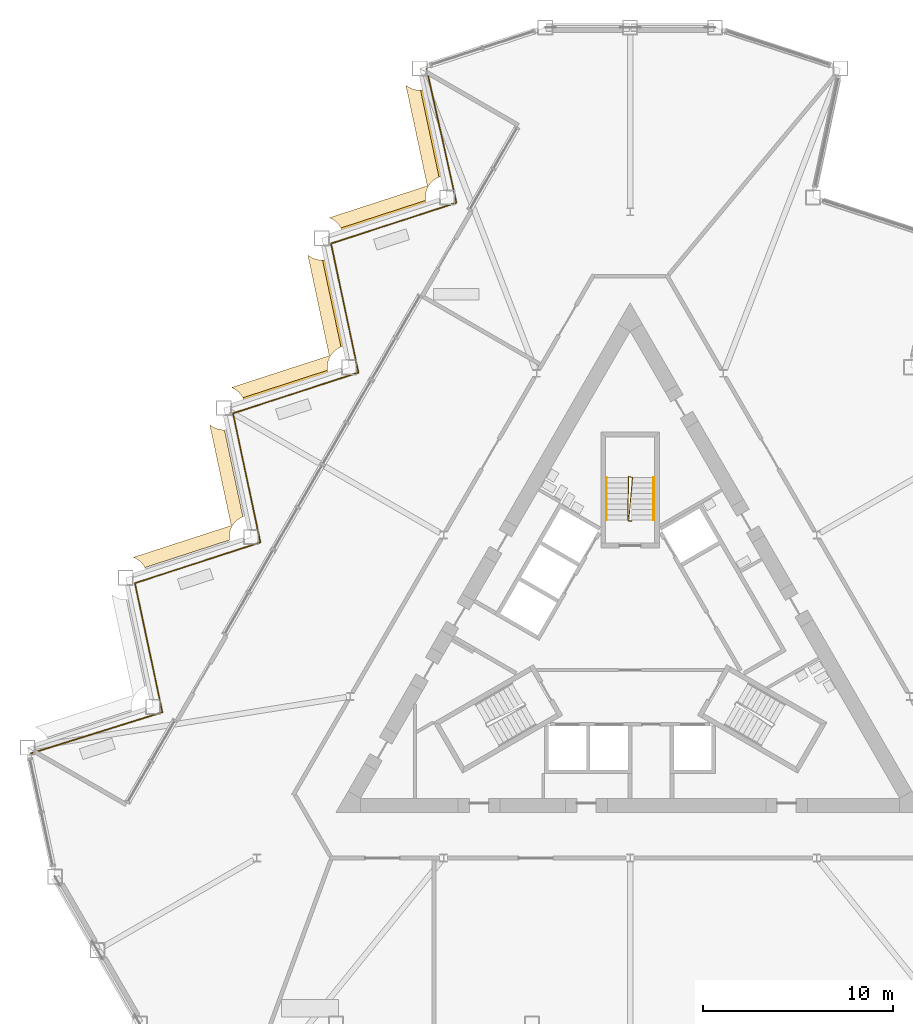
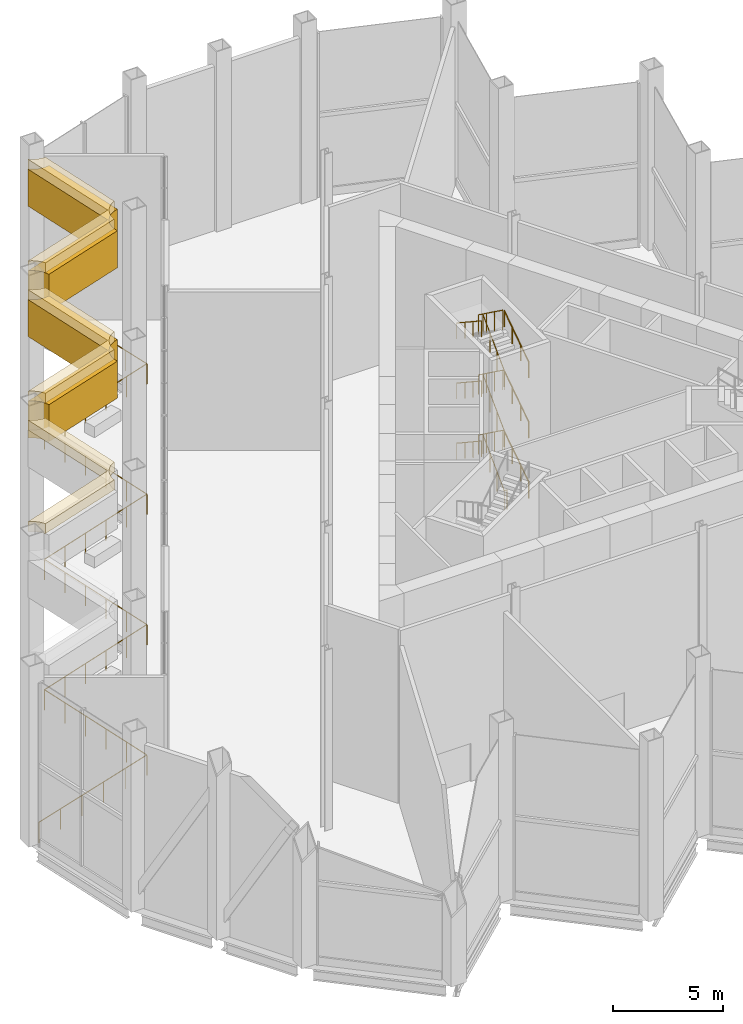
# One storey, part 16 of 18: 8 railings, 5 coverings.
"""IFC4 building model written with IfcOpenShell, lengths in metres."""

from ifc_helpers import new_model, si_unit, direction, frame, origin, origin_2d, place, context, subcontext, project, spatial, polyline, circle, outline, extrude, material, layer, layer_set, type_object, element, save


model = new_model("IFC4")

# Units and contexts
model_context = context("Model", 3, precision=1e-05, world=origin(), true_north=direction((0.0, 1.0)))
body_context = subcontext(model_context, "Body", "Model", "MODEL_VIEW")
ifc_project = project(units=[si_unit("LENGTHUNIT", "METRE"), si_unit("AREAUNIT", "SQUARE_METRE"), si_unit("VOLUMEUNIT", "CUBIC_METRE"), si_unit("PLANEANGLEUNIT", "RADIAN"), si_unit("MASSUNIT", "GRAM", prefix="KILO")], contexts=[model_context])

# Site, building, storey
site_placement = place(None, origin())
site = spatial("IfcSite", under=ifc_project, at=site_placement, CompositionType="ELEMENT")
building_placement = place(site_placement, origin())
building = spatial("IfcBuilding", under=site, at=building_placement, Name="Cormorant Prow Tower", CompositionType="ELEMENT")
storey_placement = place(building_placement, frame((0.0, 0.0, 216.0)))
storey = spatial("IfcBuildingStorey", under=building, at=storey_placement, Name="L48", CompositionType="ELEMENT", Elevation=216.0)

# Railings
ifc_material_1 = material(Name="Stainless steel", Category="steel")
railing_type_1 = type_object("IfcRailingType", Name="Stair guard 1100", PredefinedType="GUARDRAIL", material=ifc_material_1)
railing_1_placement = place(storey_placement, frame((0.074951171875, 6.40576171875, 0.0)))
element("IfcRailing", 1, at=railing_1_placement, inside=storey, type_object=railing_type_1, Name="L48 ST3 stair guard 1", PredefinedType="GUARDRAIL", context=body_context, shape_type="SweptSolid", body=[
    extrude(circle(Radius=0.02392578125, at=origin_2d()), frame((0.0, 0.0, 1.076171875), z_axis=(-1.0, 0.0, 0.0), x_axis=(0.0, -1.0, 0.0)), (0.0, 0.0, 1.0), 0.14990234375),
    extrude(circle(Radius=0.02392578125, at=origin_2d()), frame((-0.14990234375, 0.0, 1.076171875), z_axis=(0.070419712809, 0.806516368928, 0.587002905189), x_axis=(-0.996209839609, 0.086982500921, 0.0)), (0.0, 0.0, 1.0), 2.83935546875),
    extrude(circle(Radius=0.02392578125, at=origin_2d()), frame((0.050048828125, 2.2900390625, 2.74267578125), z_axis=(-0.970072785993, 0.242814311512, 0.0), x_axis=(-0.242814311512, -0.970072785993, 0.0)), (0.0, 0.0, 1.0), 0.2060546875),
    extrude(circle(Radius=0.02392578125, at=origin_2d()), frame((-0.14990234375, 2.340087890625, 2.74267578125), z_axis=(-0.017668429064, -0.808438363986, 0.58831559409), x_axis=(0.999761264773, -0.0218497931, 0.0)), (0.0, 0.0, 1.0), 2.832763671875),
    extrude(circle(Radius=0.02392578125, at=origin_2d()), frame((-0.199951171875, 0.050048828125, 4.4091796875), z_axis=(0.707106781187, -0.707106781187, 0.0), x_axis=(0.707106781187, 0.707106781187, 0.0)), (0.0, 0.0, 1.0), 0.07080078125),
    extrude(circle(Radius=0.02392578125, at=origin_2d()), frame((-0.14990234375, 0.0, 4.4091796875), z_axis=(0.070419712809, 0.806516368928, 0.587002905189), x_axis=(-0.996209839609, 0.086982500921, 0.0)), (0.0, 0.0, 1.0), 2.83935546875),
    extrude(circle(Radius=0.02392578125, at=origin_2d()), frame((0.050048828125, 2.2900390625, 6.076171875), z_axis=(-0.970072785993, 0.242814311512, 0.0), x_axis=(-0.242814311512, -0.970072785993, 0.0)), (0.0, 0.0, 1.0), 0.2060546875),
    extrude(circle(Radius=0.02392578125, at=origin_2d()), frame((-0.14990234375, 2.340087890625, 6.076171875), z_axis=(-0.017667533181, -0.80839737189, 0.58837194647), x_axis=(0.999761264773, -0.0218497931, 0.0)), (0.0, 0.0, 1.0), 2.832763671875),
    extrude(circle(Radius=0.02392578125, at=origin_2d()), frame((-0.199951171875, 0.050048828125, 7.74267578125), z_axis=(0.707106781187, -0.707106781187, 0.0), x_axis=(0.707106781187, 0.707106781187, 0.0)), (0.0, 0.0, 1.0), 0.07080078125),
    extrude(circle(Radius=0.02392578125, at=origin_2d()), frame((-0.14990234375, 0.0, 7.74267578125), z_axis=(0.070423267043, 0.80655707553, 0.586946545583), x_axis=(-0.996209839609, 0.086982500921, 0.0)), (0.0, 0.0, 1.0), 2.83935546875),
    extrude(circle(Radius=0.02392578125, at=origin_2d()), frame((0.050048828125, 2.2900390625, 9.4091796875), z_axis=(-0.970072785993, 0.242814311512, 0.0), x_axis=(-0.242814311512, -0.970072785993, 0.0)), (0.0, 0.0, 1.0), 0.2060546875),
    extrude(circle(Radius=0.02392578125, at=origin_2d()), frame((-0.14990234375, 2.340087890625, 9.4091796875), z_axis=(-0.017667533181, -0.80839737189, 0.58837194647), x_axis=(0.999761264773, -0.0218497931, 0.0)), (0.0, 0.0, 1.0), 2.832763671875),
    extrude(circle(Radius=0.02099609375, at=origin_2d()), origin(), (0.0, 0.0, 1.0), 1.052001953125),
    extrude(circle(Radius=0.02099609375, at=origin_2d()), frame((-0.14990234375, 0.0, 0.0)), (0.0, 0.0, 1.0), 1.052001953125),
    extrude(circle(Radius=0.02099609375, at=origin_2d()), frame((-0.083251953125, 0.763427734375, 0.5556640625)), (0.0, 0.0, 1.0), 1.052001953125),
    extrude(circle(Radius=0.02099609375, at=origin_2d()), frame((-0.0166015625, 1.526611328125, 1.111083984375)), (0.0, 0.0, 1.0), 1.052001953125),
    extrude(circle(Radius=0.02099609375, at=origin_2d()), frame((0.050048828125, 2.2900390625, 1.666748046875)), (0.0, 0.0, 1.0), 1.052001953125),
    extrude(circle(Radius=0.02099609375, at=origin_2d()), frame((-0.14990234375, 2.340087890625, 1.666748046875)), (0.0, 0.0, 1.0), 1.052001953125),
    extrude(circle(Radius=0.02099609375, at=origin_2d()), frame((-0.16650390625, 1.57666015625, 2.22216796875)), (0.0, 0.0, 1.0), 1.052001953125),
    extrude(circle(Radius=0.02099609375, at=origin_2d()), frame((-0.183349609375, 0.8134765625, 2.77783203125)), (0.0, 0.0, 1.0), 1.052001953125),
    extrude(circle(Radius=0.02099609375, at=origin_2d()), frame((-0.199951171875, 0.050048828125, 3.333251953125)), (0.0, 0.0, 1.0), 1.052001953125),
    extrude(circle(Radius=0.02099609375, at=origin_2d()), frame((-0.14990234375, 0.0, 3.333251953125)), (0.0, 0.0, 1.0), 1.052001953125),
    extrude(circle(Radius=0.02099609375, at=origin_2d()), frame((-0.083251953125, 0.763427734375, 3.888916015625)), (0.0, 0.0, 1.0), 1.052001953125),
    extrude(circle(Radius=0.02099609375, at=origin_2d()), frame((-0.0166015625, 1.526611328125, 4.4443359375)), (0.0, 0.0, 1.0), 1.052001953125),
    extrude(circle(Radius=0.02099609375, at=origin_2d()), frame((0.050048828125, 2.2900390625, 5.0)), (0.0, 0.0, 1.0), 1.052001953125),
    extrude(circle(Radius=0.02099609375, at=origin_2d()), frame((-0.14990234375, 2.340087890625, 5.0)), (0.0, 0.0, 1.0), 1.052001953125),
    extrude(circle(Radius=0.02099609375, at=origin_2d()), frame((-0.16650390625, 1.57666015625, 5.5556640625)), (0.0, 0.0, 1.0), 1.052001953125),
    extrude(circle(Radius=0.02099609375, at=origin_2d()), frame((-0.183349609375, 0.8134765625, 6.111083984375)), (0.0, 0.0, 1.0), 1.052001953125),
    extrude(circle(Radius=0.02099609375, at=origin_2d()), frame((-0.199951171875, 0.050048828125, 6.666748046875)), (0.0, 0.0, 1.0), 1.052001953125),
    extrude(circle(Radius=0.02099609375, at=origin_2d()), frame((-0.14990234375, 0.0, 6.666748046875)), (0.0, 0.0, 1.0), 1.052001953125),
    extrude(circle(Radius=0.02099609375, at=origin_2d()), frame((-0.083251953125, 0.763427734375, 7.22216796875)), (0.0, 0.0, 1.0), 1.052001953125),
    extrude(circle(Radius=0.02099609375, at=origin_2d()), frame((-0.0166015625, 1.526611328125, 7.77783203125)), (0.0, 0.0, 1.0), 1.052001953125),
    extrude(circle(Radius=0.02099609375, at=origin_2d()), frame((0.050048828125, 2.2900390625, 8.333251953125)), (0.0, 0.0, 1.0), 1.052001953125),
    extrude(circle(Radius=0.02099609375, at=origin_2d()), frame((-0.14990234375, 2.340087890625, 8.333251953125)), (0.0, 0.0, 1.0), 1.052001953125),
    extrude(circle(Radius=0.02099609375, at=origin_2d()), frame((-0.16650390625, 1.57666015625, 8.888916015625)), (0.0, 0.0, 1.0), 1.052001953125),
    extrude(circle(Radius=0.02099609375, at=origin_2d()), frame((-0.183349609375, 0.8134765625, 9.4443359375)), (0.0, 0.0, 1.0), 1.052001953125),
    extrude(circle(Radius=0.02099609375, at=origin_2d()), frame((-0.199951171875, 0.050048828125, 10.0)), (0.0, 0.0, 1.0), 1.052001953125),
])
ifc_material_2 = material(Name="Stainless steel", Category="steel")
railing_type_2 = type_object("IfcRailingType", Name="Stair handrail 900", PredefinedType="HANDRAIL", material=ifc_material_2)
railing_2_placement = place(storey_placement, frame((1.243896484375, 6.455810546875, 0.185302734375)))
element("IfcRailing", 2, at=railing_2_placement, inside=storey, type_object=railing_type_2, Name="L48 ST3 stair handrail 1", PredefinedType="HANDRAIL", context=body_context, shape_type="SweptSolid", body=[
    extrude(circle(Radius=0.02392578125, at=origin_2d()), frame((0.0, 0.0, 0.8759765625), z_axis=(0.0, 0.83408660425, 0.551633516577), x_axis=(-1.0, 0.0, 0.0)), (0.0, 0.0, 1.0), 2.685546875),
    extrude(circle(Radius=0.02099609375, at=origin_2d()), origin(), (0.0, 0.0, 1.0), 0.851806640625),
    extrude(circle(Radius=0.02099609375, at=origin_2d()), frame((0.0, 0.74658203125, 0.493896484375)), (0.0, 0.0, 1.0), 0.851806640625),
    extrude(circle(Radius=0.02099609375, at=origin_2d()), frame((0.0, 1.493408203125, 0.987548828125)), (0.0, 0.0, 1.0), 0.851806640625),
    extrude(circle(Radius=0.02099609375, at=origin_2d()), frame((0.0, 2.239990234375, 1.4814453125)), (0.0, 0.0, 1.0), 0.851806640625),
])
railing_3_placement = place(storey_placement, frame((-1.243896484375, 8.69580078125, 1.851806640625)))
element("IfcRailing", 3, at=railing_3_placement, inside=storey, type_object=railing_type_2, Name="L48 ST3 stair handrail 2", PredefinedType="HANDRAIL", context=body_context, shape_type="SweptSolid", body=[
    extrude(circle(Radius=0.02392578125, at=origin_2d()), frame((0.0, 0.0, 0.8759765625), z_axis=(0.0, -0.83408660425, 0.551633516577), x_axis=(1.0, 0.0, 0.0)), (0.0, 0.0, 1.0), 2.685546875),
    extrude(circle(Radius=0.02099609375, at=origin_2d()), origin(), (0.0, 0.0, 1.0), 0.851806640625),
    extrude(circle(Radius=0.02099609375, at=origin_2d()), frame((0.0, -0.74658203125, 0.493896484375)), (0.0, 0.0, 1.0), 0.851806640625),
    extrude(circle(Radius=0.02099609375, at=origin_2d()), frame((0.0, -1.493408203125, 0.987548828125)), (0.0, 0.0, 1.0), 0.851806640625),
    extrude(circle(Radius=0.02099609375, at=origin_2d()), frame((0.0, -2.239990234375, 1.4814453125)), (0.0, 0.0, 1.0), 0.851806640625),
])
railing_4_placement = place(storey_placement, frame((1.243896484375, 6.455810546875, 3.5185546875)))
element("IfcRailing", 4, at=railing_4_placement, inside=storey, type_object=railing_type_2, Name="L48 ST3 stair handrail 3", PredefinedType="HANDRAIL", context=body_context, shape_type="SweptSolid", body=[
    extrude(circle(Radius=0.02392578125, at=origin_2d()), frame((0.0, 0.0, 0.8759765625), z_axis=(0.0, 0.83408660425, 0.551633516577), x_axis=(-1.0, 0.0, 0.0)), (0.0, 0.0, 1.0), 2.685546875),
    extrude(circle(Radius=0.02099609375, at=origin_2d()), origin(), (0.0, 0.0, 1.0), 0.851806640625),
    extrude(circle(Radius=0.02099609375, at=origin_2d()), frame((0.0, 0.74658203125, 0.493896484375)), (0.0, 0.0, 1.0), 0.851806640625),
    extrude(circle(Radius=0.02099609375, at=origin_2d()), frame((0.0, 1.493408203125, 0.987548828125)), (0.0, 0.0, 1.0), 0.851806640625),
    extrude(circle(Radius=0.02099609375, at=origin_2d()), frame((0.0, 2.239990234375, 1.4814453125)), (0.0, 0.0, 1.0), 0.851806640625),
])
railing_5_placement = place(storey_placement, frame((-1.243896484375, 8.69580078125, 5.185302734375)))
element("IfcRailing", 5, at=railing_5_placement, inside=storey, type_object=railing_type_2, Name="L48 ST3 stair handrail 4", PredefinedType="HANDRAIL", context=body_context, shape_type="SweptSolid", body=[
    extrude(circle(Radius=0.02392578125, at=origin_2d()), frame((0.0, 0.0, 0.8759765625), z_axis=(0.0, -0.83408660425, 0.551633516577), x_axis=(1.0, 0.0, 0.0)), (0.0, 0.0, 1.0), 2.685546875),
    extrude(circle(Radius=0.02099609375, at=origin_2d()), origin(), (0.0, 0.0, 1.0), 0.851806640625),
    extrude(circle(Radius=0.02099609375, at=origin_2d()), frame((0.0, -0.74658203125, 0.493896484375)), (0.0, 0.0, 1.0), 0.851806640625),
    extrude(circle(Radius=0.02099609375, at=origin_2d()), frame((0.0, -1.493408203125, 0.987548828125)), (0.0, 0.0, 1.0), 0.851806640625),
    extrude(circle(Radius=0.02099609375, at=origin_2d()), frame((0.0, -2.239990234375, 1.4814453125)), (0.0, 0.0, 1.0), 0.851806640625),
])
railing_6_placement = place(storey_placement, frame((1.243896484375, 6.455810546875, 6.851806640625)))
element("IfcRailing", 6, at=railing_6_placement, inside=storey, type_object=railing_type_2, Name="L48 ST3 stair handrail 5", PredefinedType="HANDRAIL", context=body_context, shape_type="SweptSolid", body=[
    extrude(circle(Radius=0.02392578125, at=origin_2d()), frame((0.0, 0.0, 0.8759765625), z_axis=(0.0, 0.83408660425, 0.551633516577), x_axis=(-1.0, 0.0, 0.0)), (0.0, 0.0, 1.0), 2.685546875),
    extrude(circle(Radius=0.02099609375, at=origin_2d()), origin(), (0.0, 0.0, 1.0), 0.851806640625),
    extrude(circle(Radius=0.02099609375, at=origin_2d()), frame((0.0, 0.74658203125, 0.493896484375)), (0.0, 0.0, 1.0), 0.851806640625),
    extrude(circle(Radius=0.02099609375, at=origin_2d()), frame((0.0, 1.493408203125, 0.987548828125)), (0.0, 0.0, 1.0), 0.851806640625),
    extrude(circle(Radius=0.02099609375, at=origin_2d()), frame((0.0, 2.239990234375, 1.4814453125)), (0.0, 0.0, 1.0), 0.851806640625),
])
railing_7_placement = place(storey_placement, frame((-1.243896484375, 8.69580078125, 8.5185546875)))
element("IfcRailing", 7, at=railing_7_placement, inside=storey, type_object=railing_type_2, Name="L48 ST3 stair handrail 6", PredefinedType="HANDRAIL", context=body_context, shape_type="SweptSolid", body=[
    extrude(circle(Radius=0.02392578125, at=origin_2d()), frame((0.0, 0.0, 0.8759765625), z_axis=(0.0, -0.83408660425, 0.551633516577), x_axis=(1.0, 0.0, 0.0)), (0.0, 0.0, 1.0), 2.685546875),
    extrude(circle(Radius=0.02099609375, at=origin_2d()), origin(), (0.0, 0.0, 1.0), 0.851806640625),
    extrude(circle(Radius=0.02099609375, at=origin_2d()), frame((0.0, -0.74658203125, 0.493896484375)), (0.0, 0.0, 1.0), 0.851806640625),
    extrude(circle(Radius=0.02099609375, at=origin_2d()), frame((0.0, -1.493408203125, 0.987548828125)), (0.0, 0.0, 1.0), 0.851806640625),
    extrude(circle(Radius=0.02099609375, at=origin_2d()), frame((0.0, -2.239990234375, 1.4814453125)), (0.0, 0.0, 1.0), 0.851806640625),
])
ifc_material_3 = material(Name="Aluminium 6063-T6", Category="aluminium")
railing_type_3 = type_object("IfcRailingType", Name="Terrace guard 1150", PredefinedType="GUARDRAIL", material=ifc_material_3)
railing_8_placement = place(storey_placement, frame((-10.724365234375, 30.243896484375, 0.0)))
element("IfcRailing", 8, at=railing_8_placement, inside=storey, type_object=railing_type_3, Name="Terrace guard WNW", PredefinedType="GUARDRAIL", context=body_context, shape_type="SweptSolid", body=[
    extrude(circle(Radius=0.02392578125, at=origin_2d()), frame((0.0, 0.0, 1.1259765625), z_axis=(0.217843576996, -0.975983696565, 0.0), x_axis=(0.975983696565, 0.217843576996, 0.0)), (0.0, 0.0, 1.0), 7.24658203125),
    extrude(circle(Radius=0.02392578125, at=origin_2d()), frame((1.57861328125, -7.072509765625, 1.1259765625), z_axis=(-0.951051879962, -0.309031263178, 0.0), x_axis=(0.309031263178, -0.951051879962, 0.0)), (0.0, 0.0, 1.0), 6.94970703125),
    extrude(circle(Radius=0.02392578125, at=origin_2d()), frame((-5.031005859375, -9.22021484375, 1.1259765625), z_axis=(0.207931020282, -0.97814349193, 0.0), x_axis=(0.97814349193, 0.207931020282, 0.0)), (0.0, 0.0, 1.0), 6.94970703125),
    extrude(circle(Radius=0.02392578125, at=origin_2d()), frame((-3.5859375, -16.01806640625, 1.1259765625), z_axis=(-0.95105523464, -0.309020938876, 0.0), x_axis=(0.309020938876, -0.95105523464, 0.0)), (0.0, 0.0, 1.0), 6.949951171875),
    extrude(circle(Radius=0.02392578125, at=origin_2d()), frame((-10.19580078125, -18.165771484375, 1.1259765625), z_axis=(0.207931020282, -0.97814349193, 0.0), x_axis=(0.97814349193, 0.207931020282, 0.0)), (0.0, 0.0, 1.0), 6.94970703125),
    extrude(circle(Radius=0.02392578125, at=origin_2d()), frame((-8.750732421875, -24.963623046875, 1.1259765625), z_axis=(-0.951062204172, -0.308999488342, 0.0), x_axis=(0.308999488342, -0.951062204172, 0.0)), (0.0, 0.0, 1.0), 6.94970703125),
    extrude(circle(Radius=0.02392578125, at=origin_2d()), frame((-15.3603515625, -27.111083984375, 1.1259765625), z_axis=(0.207890265773, -0.978152154522, 0.0), x_axis=(0.978152154522, 0.207890265773, 0.0)), (0.0, 0.0, 1.0), 6.949951171875),
    extrude(circle(Radius=0.02392578125, at=origin_2d()), frame((-13.91552734375, -33.9091796875, 1.1259765625), z_axis=(-0.954146676263, -0.299339473133, 0.0), x_axis=(0.299339473133, -0.954146676263, 0.0)), (0.0, 0.0, 1.0), 7.24658203125),
    extrude(circle(Radius=0.02099609375, at=origin_2d()), origin(), (0.0, 0.0, 1.0), 1.101806640625),
    extrude(circle(Radius=0.02099609375, at=origin_2d()), frame((0.315673828125, -1.41455078125, 0.0)), (0.0, 0.0, 1.0), 1.101806640625),
    extrude(circle(Radius=0.02099609375, at=origin_2d()), frame((0.63134765625, -2.8291015625, 0.0)), (0.0, 0.0, 1.0), 1.101806640625),
    extrude(circle(Radius=0.02099609375, at=origin_2d()), frame((0.947265625, -4.243408203125, 0.0)), (0.0, 0.0, 1.0), 1.101806640625),
    extrude(circle(Radius=0.02099609375, at=origin_2d()), frame((1.262939453125, -5.657958984375, 0.0)), (0.0, 0.0, 1.0), 1.101806640625),
    extrude(circle(Radius=0.02099609375, at=origin_2d()), frame((1.57861328125, -7.072509765625, 0.0)), (0.0, 0.0, 1.0), 1.101806640625),
    extrude(circle(Radius=0.02099609375, at=origin_2d()), frame((0.256591796875, -7.501953125, 0.0)), (0.0, 0.0, 1.0), 1.101806640625),
    extrude(circle(Radius=0.02099609375, at=origin_2d()), frame((-1.065185546875, -7.931640625, 0.0)), (0.0, 0.0, 1.0), 1.101806640625),
    extrude(circle(Radius=0.02099609375, at=origin_2d()), frame((-2.38720703125, -8.361083984375, 0.0)), (0.0, 0.0, 1.0), 1.101806640625),
    extrude(circle(Radius=0.02099609375, at=origin_2d()), frame((-3.708984375, -8.790771484375, 0.0)), (0.0, 0.0, 1.0), 1.101806640625),
    extrude(circle(Radius=0.02099609375, at=origin_2d()), frame((-5.031005859375, -9.22021484375, 0.0)), (0.0, 0.0, 1.0), 1.101806640625),
    extrude(circle(Radius=0.02099609375, at=origin_2d()), frame((-4.741943359375, -10.579833984375, 0.0)), (0.0, 0.0, 1.0), 1.101806640625),
    extrude(circle(Radius=0.02099609375, at=origin_2d()), frame((-4.452880859375, -11.939453125, 0.0)), (0.0, 0.0, 1.0), 1.101806640625),
    extrude(circle(Radius=0.02099609375, at=origin_2d()), frame((-4.1640625, -13.298828125, 0.0)), (0.0, 0.0, 1.0), 1.101806640625),
    extrude(circle(Radius=0.02099609375, at=origin_2d()), frame((-3.875, -14.658447265625, 0.0)), (0.0, 0.0, 1.0), 1.101806640625),
    extrude(circle(Radius=0.02099609375, at=origin_2d()), frame((-3.5859375, -16.01806640625, 0.0)), (0.0, 0.0, 1.0), 1.101806640625),
    extrude(circle(Radius=0.02099609375, at=origin_2d()), frame((-4.907958984375, -16.447509765625, 0.0)), (0.0, 0.0, 1.0), 1.101806640625),
    extrude(circle(Radius=0.02099609375, at=origin_2d()), frame((-6.22998046875, -16.877197265625, 0.0)), (0.0, 0.0, 1.0), 1.101806640625),
    extrude(circle(Radius=0.02099609375, at=origin_2d()), frame((-7.5517578125, -17.306640625, 0.0)), (0.0, 0.0, 1.0), 1.101806640625),
    extrude(circle(Radius=0.02099609375, at=origin_2d()), frame((-8.873779296875, -17.736328125, 0.0)), (0.0, 0.0, 1.0), 1.101806640625),
    extrude(circle(Radius=0.02099609375, at=origin_2d()), frame((-10.19580078125, -18.165771484375, 0.0)), (0.0, 0.0, 1.0), 1.101806640625),
    extrude(circle(Radius=0.02099609375, at=origin_2d()), frame((-9.90673828125, -19.525390625, 0.0)), (0.0, 0.0, 1.0), 1.101806640625),
    extrude(circle(Radius=0.02099609375, at=origin_2d()), frame((-9.61767578125, -20.885009765625, 0.0)), (0.0, 0.0, 1.0), 1.101806640625),
    extrude(circle(Radius=0.02099609375, at=origin_2d()), frame((-9.328857421875, -22.244384765625, 0.0)), (0.0, 0.0, 1.0), 1.101806640625),
    extrude(circle(Radius=0.02099609375, at=origin_2d()), frame((-9.039794921875, -23.60400390625, 0.0)), (0.0, 0.0, 1.0), 1.101806640625),
    extrude(circle(Radius=0.02099609375, at=origin_2d()), frame((-8.750732421875, -24.963623046875, 0.0)), (0.0, 0.0, 1.0), 1.101806640625),
    extrude(circle(Radius=0.02099609375, at=origin_2d()), frame((-10.07275390625, -25.39306640625, 0.0)), (0.0, 0.0, 1.0), 1.101806640625),
    extrude(circle(Radius=0.02099609375, at=origin_2d()), frame((-11.39453125, -25.822509765625, 0.0)), (0.0, 0.0, 1.0), 1.101806640625),
    extrude(circle(Radius=0.02099609375, at=origin_2d()), frame((-12.716552734375, -26.252197265625, 0.0)), (0.0, 0.0, 1.0), 1.101806640625),
    extrude(circle(Radius=0.02099609375, at=origin_2d()), frame((-14.038330078125, -26.681640625, 0.0)), (0.0, 0.0, 1.0), 1.101806640625),
    extrude(circle(Radius=0.02099609375, at=origin_2d()), frame((-15.3603515625, -27.111083984375, 0.0)), (0.0, 0.0, 1.0), 1.101806640625),
    extrude(circle(Radius=0.02099609375, at=origin_2d()), frame((-15.0712890625, -28.470703125, 0.0)), (0.0, 0.0, 1.0), 1.101806640625),
    extrude(circle(Radius=0.02099609375, at=origin_2d()), frame((-14.782470703125, -29.830322265625, 0.0)), (0.0, 0.0, 1.0), 1.101806640625),
    extrude(circle(Radius=0.02099609375, at=origin_2d()), frame((-14.493408203125, -31.18994140625, 0.0)), (0.0, 0.0, 1.0), 1.101806640625),
    extrude(circle(Radius=0.02099609375, at=origin_2d()), frame((-14.20458984375, -32.549560546875, 0.0)), (0.0, 0.0, 1.0), 1.101806640625),
    extrude(circle(Radius=0.02099609375, at=origin_2d()), frame((-13.91552734375, -33.9091796875, 0.0)), (0.0, 0.0, 1.0), 1.101806640625),
    extrude(circle(Radius=0.02099609375, at=origin_2d()), frame((-15.29833984375, -34.343017578125, 0.0)), (0.0, 0.0, 1.0), 1.101806640625),
    extrude(circle(Radius=0.02099609375, at=origin_2d()), frame((-16.68115234375, -34.77685546875, 0.0)), (0.0, 0.0, 1.0), 1.101806640625),
    extrude(circle(Radius=0.02099609375, at=origin_2d()), frame((-18.064208984375, -35.210693359375, 0.0)), (0.0, 0.0, 1.0), 1.101806640625),
    extrude(circle(Radius=0.02099609375, at=origin_2d()), frame((-19.447021484375, -35.64453125, 0.0)), (0.0, 0.0, 1.0), 1.101806640625),
    extrude(circle(Radius=0.02099609375, at=origin_2d()), frame((-20.829833984375, -36.078369140625, 0.0)), (0.0, 0.0, 1.0), 1.101806640625),
])

# Coverings
ifc_material_4 = material(Name="Terracotta", Category="masonry")
ifc_layer = layer(ifc_material_4, 0.89990234375)
ifc_layer_set = layer_set([ifc_layer], Name="Terracotta")
covering_type = type_object("IfcCoveringType", Name="Terrace lintel fascia 900", PredefinedType="CLADDING", material=ifc_layer_set)
covering_1_placement = place(storey_placement, frame((0.0, 0.0, 7.050048828125)))
element("IfcCovering", 9, at=covering_1_placement, inside=storey, type_object=covering_type, Name="Terrace lintel L48", PredefinedType="CLADDING", context=body_context, shape_type="SweptSolid", body=[
    extrude(outline(polyline([(-15.038818359375, 15.632568359375), (-15.1337890625, 15.60888671875), (-15.239990234375, 15.57080078125), (-15.342041015625, 15.522705078125), (-15.438720703125, 15.464599609375), (-15.529296875, 15.3974609375), (-15.613037109375, 15.321533203125), (-15.688720703125, 15.238037109375), (-15.756103515625, 15.147216796875), (-15.814208984375, 15.050537109375), (-15.8623046875, 14.948486328125), (-15.900390625, 14.84228515625), (-15.927734375, 14.73291015625), (-15.9443359375, 14.62109375), (-15.949951171875, 14.50830078125), (-15.9443359375, 14.395751953125), (-15.927734375, 14.2841796875), (-15.900390625, 14.174560546875), (-15.892578125, 14.1533203125), (-20.316650390625, 12.7158203125), (-20.34716796875, 12.80078125), (-20.395263671875, 12.90283203125), (-20.453369140625, 12.999755859375), (-20.5205078125, 13.09033203125), (-20.596435546875, 13.174072265625), (-20.679931640625, 13.249755859375), (-20.7705078125, 13.31689453125), (-20.867431640625, 13.375), (-20.969482421875, 13.42333984375), (-21.0087890625, 13.437255859375), (-15.8486328125, 15.114013671875), (-16.976318359375, 20.419189453125), (-16.974365234375, 20.41748046875), (-16.8837890625, 20.35009765625), (-16.786865234375, 20.2919921875), (-16.684814453125, 20.243896484375), (-16.57861328125, 20.205810546875), (-16.46923828125, 20.178466796875), (-16.357421875, 20.161865234375), (-16.244873046875, 20.15625), (-16.132080078125, 20.161865234375), (-16.0205078125, 20.178466796875), (-16.005859375, 20.18212890625), (-15.038818359375, 15.632568359375)])), origin(), (0.0, 0.0, 1.0), 2.05078125),
])
covering_2_placement = place(storey_placement, frame((0.0, 0.0, 7.050048828125)))
element("IfcCovering", 10, at=covering_2_placement, inside=storey, type_object=covering_type, Name="Terrace lintel L48 part 4", PredefinedType="CLADDING", context=body_context, shape_type="SweptSolid", body=[
    extrude(outline(polyline([(-15.15185546875, 21.661376953125), (-15.182373046875, 21.746337890625), (-15.230712890625, 21.848388671875), (-15.28857421875, 21.9453125), (-15.355712890625, 22.035888671875), (-15.431640625, 22.119384765625), (-15.515380859375, 22.1953125), (-15.60595703125, 22.262451171875), (-15.70263671875, 22.320556640625), (-15.8046875, 22.368896484375), (-15.843994140625, 22.3828125), (-10.68408203125, 24.0595703125), (-11.8115234375, 29.36474609375), (-11.8095703125, 29.36279296875), (-11.718994140625, 29.295654296875), (-11.622314453125, 29.23779296875), (-11.520263671875, 29.189453125), (-11.413818359375, 29.1513671875), (-11.304443359375, 29.1240234375), (-11.19287109375, 29.107421875), (-11.080078125, 29.101806640625), (-10.96728515625, 29.107421875), (-10.855712890625, 29.1240234375), (-10.841064453125, 29.127685546875), (-9.8740234375, 24.578125), (-9.968994140625, 24.554443359375), (-10.0751953125, 24.516357421875), (-10.17724609375, 24.46826171875), (-10.27392578125, 24.41015625), (-10.36474609375, 24.343017578125), (-10.4482421875, 24.26708984375), (-10.524169921875, 24.18359375), (-10.59130859375, 24.093017578125), (-10.6494140625, 23.99609375), (-10.697509765625, 23.89404296875), (-10.735595703125, 23.787841796875), (-10.762939453125, 23.67822265625), (-10.779541015625, 23.566650390625), (-10.78515625, 23.4541015625), (-10.779541015625, 23.34130859375), (-10.762939453125, 23.2294921875), (-10.735595703125, 23.1201171875), (-10.72802734375, 23.098876953125), (-15.15185546875, 21.661376953125)])), origin(), (0.0, 0.0, 1.0), 2.05078125),
])
covering_3_placement = place(storey_placement, frame((0.0, 0.0, 9.100830078125)))
element("IfcCovering", 11, at=covering_3_placement, inside=storey, type_object=covering_type, Name="Terrace lintel L48 head", PredefinedType="CLADDING", context=body_context, shape_type="SweptSolid", body=[
    extrude(outline(polyline([(-15.239990234375, 15.57080078125), (-15.342041015625, 15.522705078125), (-15.438720703125, 15.464599609375), (-15.529296875, 15.3974609375), (-15.613037109375, 15.321533203125), (-15.688720703125, 15.238037109375), (-15.756103515625, 15.147216796875), (-15.814208984375, 15.050537109375), (-15.8623046875, 14.948486328125), (-15.900390625, 14.84228515625), (-15.927734375, 14.73291015625), (-15.9443359375, 14.62109375), (-15.949951171875, 14.50830078125), (-15.9443359375, 14.395751953125), (-15.9375, 14.34912109375), (-20.394287109375, 12.90087890625), (-20.395263671875, 12.90283203125), (-20.453369140625, 12.999755859375), (-20.5205078125, 13.09033203125), (-20.596435546875, 13.174072265625), (-20.679931640625, 13.249755859375), (-20.7705078125, 13.31689453125), (-20.867431640625, 13.375), (-20.969482421875, 13.42333984375), (-21.0087890625, 13.437255859375), (-15.8486328125, 15.114013671875), (-16.976318359375, 20.419189453125), (-16.974365234375, 20.41748046875), (-16.8837890625, 20.35009765625), (-16.786865234375, 20.2919921875), (-16.684814453125, 20.243896484375), (-16.57861328125, 20.205810546875), (-16.46923828125, 20.178466796875), (-16.357421875, 20.161865234375), (-16.244873046875, 20.15625), (-16.205078125, 20.158203125), (-15.23095703125, 15.57421875), (-15.239990234375, 15.57080078125)])), origin(), (0.0, 0.0, 1.0), 0.549072265625),
])
covering_4_placement = place(storey_placement, frame((0.0, 0.0, 9.100830078125)))
element("IfcCovering", 12, at=covering_4_placement, inside=storey, type_object=covering_type, Name="Terrace lintel L48 head part 3", PredefinedType="CLADDING", context=body_context, shape_type="SweptSolid", body=[
    extrude(outline(polyline([(-20.40478515625, 6.625244140625), (-20.506591796875, 6.5771484375), (-20.603515625, 6.51904296875), (-20.694091796875, 6.451904296875), (-20.777587890625, 6.3759765625), (-20.853515625, 6.29248046875), (-20.9208984375, 6.201904296875), (-20.978759765625, 6.10498046875), (-21.027099609375, 6.0029296875), (-21.065185546875, 5.896728515625), (-21.092529296875, 5.787109375), (-21.10888671875, 5.675537109375), (-21.114501953125, 5.56298828125), (-21.10888671875, 5.4501953125), (-21.10205078125, 5.403564453125), (-25.55908203125, 3.955322265625), (-25.56005859375, 3.957275390625), (-25.6181640625, 4.05419921875), (-25.685302734375, 4.144775390625), (-25.760986328125, 4.228515625), (-25.8447265625, 4.30419921875), (-25.935302734375, 4.371337890625), (-26.031982421875, 4.429443359375), (-26.13427734375, 4.477783203125), (-26.173583984375, 4.49169921875), (-21.013427734375, 6.16845703125), (-22.14111328125, 11.4736328125), (-22.13916015625, 11.4716796875), (-22.04833984375, 11.404541015625), (-21.95166015625, 11.3466796875), (-21.849609375, 11.29833984375), (-21.743408203125, 11.26025390625), (-21.6337890625, 11.23291015625), (-21.522216796875, 11.21630859375), (-21.409423828125, 11.210693359375), (-21.3701171875, 11.212646484375), (-20.3955078125, 6.628662109375), (-20.40478515625, 6.625244140625)])), origin(), (0.0, 0.0, 1.0), 0.549072265625),
])
covering_5_placement = place(storey_placement, frame((0.0, 0.0, 9.100830078125)))
element("IfcCovering", 13, at=covering_5_placement, inside=storey, type_object=covering_type, Name="Terrace lintel L48 head part 4", PredefinedType="CLADDING", context=body_context, shape_type="SweptSolid", body=[
    extrude(outline(polyline([(-15.230712890625, 21.848388671875), (-15.28857421875, 21.9453125), (-15.355712890625, 22.035888671875), (-15.431640625, 22.119384765625), (-15.515380859375, 22.1953125), (-15.60595703125, 22.262451171875), (-15.70263671875, 22.320556640625), (-15.8046875, 22.368896484375), (-15.843994140625, 22.3828125), (-10.68408203125, 24.0595703125), (-11.8115234375, 29.36474609375), (-11.8095703125, 29.36279296875), (-11.718994140625, 29.295654296875), (-11.622314453125, 29.23779296875), (-11.520263671875, 29.189453125), (-11.413818359375, 29.1513671875), (-11.304443359375, 29.1240234375), (-11.19287109375, 29.107421875), (-11.080078125, 29.101806640625), (-11.04052734375, 29.103759765625), (-10.066162109375, 24.519775390625), (-10.0751953125, 24.516357421875), (-10.17724609375, 24.46826171875), (-10.27392578125, 24.41015625), (-10.36474609375, 24.343017578125), (-10.4482421875, 24.26708984375), (-10.524169921875, 24.18359375), (-10.59130859375, 24.093017578125), (-10.6494140625, 23.99609375), (-10.697509765625, 23.89404296875), (-10.735595703125, 23.787841796875), (-10.762939453125, 23.67822265625), (-10.779541015625, 23.566650390625), (-10.78515625, 23.4541015625), (-10.779541015625, 23.34130859375), (-10.772705078125, 23.294677734375), (-15.229736328125, 21.846435546875), (-15.230712890625, 21.848388671875)])), origin(), (0.0, 0.0, 1.0), 0.549072265625),
])

save(model, "model.ifc")
